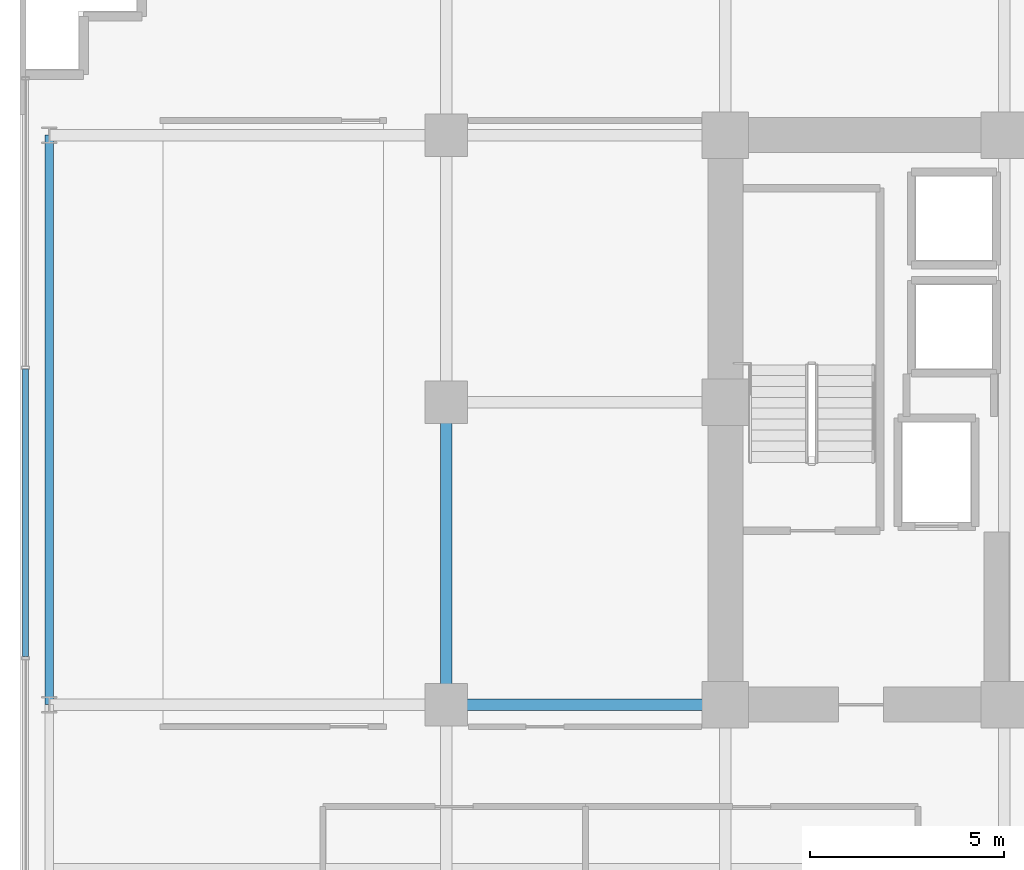
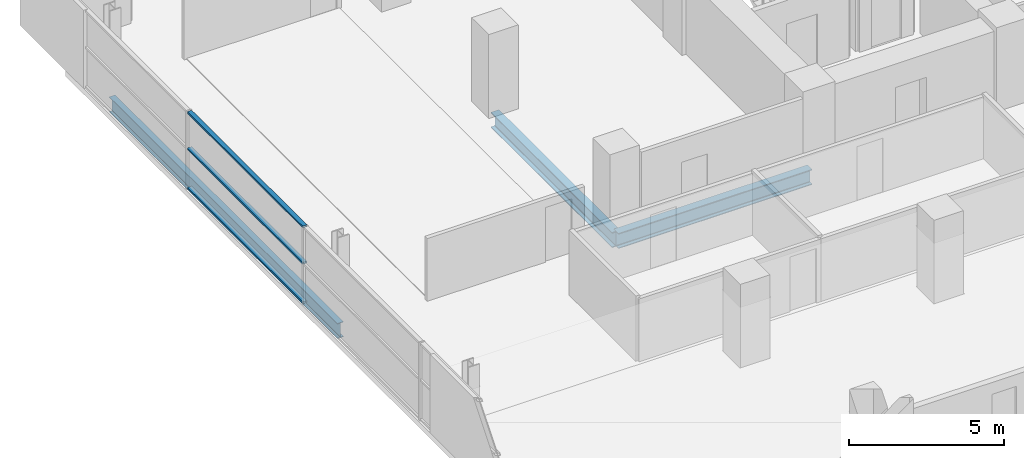
# One storey, part 9 of 30: 3 beams, 3 members, 1 element without a shape of its own.
"""IFC4 building model written with IfcOpenShell, lengths in metres."""

import ifcopenshell
import ifcopenshell.guid

model = None  # the IFC model being written
_history = None  # IfcOwnerHistory: only IFC2X3 demands one
_inside = {}  # id of a spatial element -> (the spatial element, [elements in it])
_under = {}  # id of a project, library or spatial element -> (it, [spatial elements below it])
_declared = {}  # id of a project -> (the project, [libraries it declares])
_typed = {}  # id of a type object -> (the type object, [elements of that type])
_made_of = {}  # id of a material, layer set ... -> (it, [elements and type objects made of it])


def new_model(schema):
    """Start an empty IFC model of exactly this schema.

    Asked for "IFC4X3", IfcOpenShell would pick the latest addendum, in which some entities
    have other attributes; the version numbers below select the first issue.
    IFC2X3 requires an IfcOwnerHistory on every rooted entity: one is made here for all.
    """
    global model, _history
    if schema == "IFC4X3":
        model = ifcopenshell.file(schema_version=(4, 3, 0, 0))
    else:
        model = ifcopenshell.file(schema=schema)
    _inside.clear()
    _under.clear()
    _declared.clear()
    _typed.clear()
    _made_of.clear()
    _history = None
    if model.schema == "IFC2X3":
        org = make("IfcOrganization", Name="unknown")
        user = make(
            "IfcPersonAndOrganization",
            ThePerson=make("IfcPerson", FamilyName="unknown"),
            TheOrganization=org,
        )
        app = make(
            "IfcApplication",
            ApplicationDeveloper=org,
            Version="unknown",
            ApplicationFullName="unknown",
            ApplicationIdentifier="unknown",
        )
        _history = make(
            "IfcOwnerHistory",
            OwningUser=user,
            OwningApplication=app,
            ChangeAction="ADDED",
            CreationDate=0,
        )
    return model


def make(cls, **values):
    """One entity of the class cls with the attributes given. An attribute that is None is left unset."""
    return model.create_entity(
        cls, **{name: value for name, value in values.items() if value is not None}
    )


def rooted(cls, **values):
    """An entity with a GlobalId (a new one), such as an element, a storey or a relation."""
    return make(cls, GlobalId=ifcopenshell.guid.new(), OwnerHistory=_history, **values)


def si_unit(unit_type, name, prefix=None):
    """IfcSIUnit, for example si_unit("LENGTHUNIT", "METRE", prefix="MILLI")."""
    return make("IfcSIUnit", UnitType=unit_type, Prefix=prefix, Name=name)


def assignment(units):
    """IfcUnitAssignment: the units of a project."""
    return None if units is None else make("IfcUnitAssignment", Units=units)


def point(xyz):
    """IfcCartesianPoint."""
    return None if xyz is None else make("IfcCartesianPoint", Coordinates=xyz)


def direction(xyz):
    """IfcDirection."""
    return None if xyz is None else make("IfcDirection", DirectionRatios=xyz)


def frame(location, z_axis=None, x_axis=None):
    """IfcAxis2Placement3D, a coordinate frame: its origin and axes. An axis left out is left unset."""
    return make(
        "IfcAxis2Placement3D",
        Location=point(location),
        Axis=direction(z_axis),
        RefDirection=direction(x_axis),
    )


def frame_2d(location, x_axis=None):
    """IfcAxis2Placement2D, a coordinate frame in the plane: its origin and x axis."""
    return make(
        "IfcAxis2Placement2D", Location=point(location), RefDirection=direction(x_axis)
    )


def origin():
    """The frame at (0, 0, 0) with its axes left unset."""
    return frame((0.0, 0.0, 0.0))


def origin_2d():
    """The frame at (0, 0) in the plane with its x axis left unset."""
    return frame_2d((0.0, 0.0))


def place(relative_to, where):
    """IfcLocalPlacement: puts the frame where relative to a parent placement (None: the world)."""
    return make(
        "IfcLocalPlacement", PlacementRelTo=relative_to, RelativePlacement=where
    )


def context(
    kind, dimensions, precision=None, world=None, true_north=None, identifier=None
):
    """IfcGeometricRepresentationContext, for example the 3D "Model" context."""
    return make(
        "IfcGeometricRepresentationContext",
        ContextIdentifier=identifier,
        ContextType=kind,
        CoordinateSpaceDimension=dimensions,
        Precision=precision,
        WorldCoordinateSystem=world,
        TrueNorth=true_north,
    )


def subcontext(parent, identifier, kind, view, scale=None):
    """IfcGeometricRepresentationSubContext, for example "Body" below "Model"."""
    return make(
        "IfcGeometricRepresentationSubContext",
        ContextIdentifier=identifier,
        ContextType=kind,
        ParentContext=parent,
        TargetScale=scale,
        TargetView=view,
    )


def project(units=None, contexts=None):
    """IfcProject with its units and contexts."""
    return rooted(
        "IfcProject",
        Name="project",
        RepresentationContexts=contexts,
        UnitsInContext=assignment(units),
    )


def spatial(cls, under=None, at=None, **own):
    """A site, building, storey or space (cls), placed at a placement, below another one or the project."""
    s = rooted(cls, ObjectPlacement=at, **own)
    if under is not None:
        _under.setdefault(under.id(), (under, []))[1].append(s)
    return s


def profile(cls, at=None, kind="AREA", **sizes):
    """A parametric profile (cls). Its sizes go by their IFC names, for example OverallWidth=200.0."""
    return make(cls, ProfileType=kind, Position=at, **sizes)


def hollow_rectangle(**sizes):
    """IfcRectangleHollowProfileDef."""
    return profile("IfcRectangleHollowProfileDef", **sizes)


def i_section(**sizes):
    """IfcIShapeProfileDef."""
    return profile("IfcIShapeProfileDef", **sizes)


def extrude(swept, where, along, depth):
    """IfcExtrudedAreaSolid: the profile swept, set in the frame where, extruded along a direction by depth."""
    return make(
        "IfcExtrudedAreaSolid",
        SweptArea=swept,
        Position=where,
        ExtrudedDirection=direction(along),
        Depth=depth,
    )


def shape(context_of_items, identifier, shape_type, items):
    """IfcShapeRepresentation: the items that make up one representation, for example the "Body"."""
    return make(
        "IfcShapeRepresentation",
        ContextOfItems=context_of_items,
        RepresentationIdentifier=identifier,
        RepresentationType=shape_type,
        Items=items,
    )


def source(mapping_origin, context_of_items, identifier, shape_type, items):
    """IfcRepresentationMap: a shape defined once, which mapped items show again and again."""
    return make(
        "IfcRepresentationMap",
        MappingOrigin=mapping_origin,
        MappedRepresentation=shape(context_of_items, identifier, shape_type, items),
    )


def transform(
    local_origin,
    x_axis=None,
    y_axis=None,
    z_axis=None,
    scale=None,
    scale2=None,
    scale3=None,
    uniform=True,
):
    """IfcCartesianTransformationOperator3D, or its non-uniform kind. x_axis, y_axis, z_axis: its Axis1, 2, 3."""
    if uniform:
        return make(
            "IfcCartesianTransformationOperator3D",
            Axis1=direction(x_axis),
            Axis2=direction(y_axis),
            LocalOrigin=point(local_origin),
            Scale=scale,
            Axis3=direction(z_axis),
        )
    return make(
        "IfcCartesianTransformationOperator3DnonUniform",
        Axis1=direction(x_axis),
        Axis2=direction(y_axis),
        LocalOrigin=point(local_origin),
        Scale=scale,
        Axis3=direction(z_axis),
        Scale2=scale2,
        Scale3=scale3,
    )


def mapped(mapping_source, mapping_target):
    """IfcMappedItem: shows the shape of a source again, moved by a transform."""
    return make(
        "IfcMappedItem", MappingSource=mapping_source, MappingTarget=mapping_target
    )


def material(Name=None, Category=None):
    """IfcMaterial."""
    return make("IfcMaterial", Name=Name, Category=Category)


def layer(
    of_material, thickness, ventilated=None, Name=None, Category=None, Priority=None
):
    """IfcMaterialLayer: one layer of a wall or slab, of a material (None: an air gap)."""
    return make(
        "IfcMaterialLayer",
        Material=of_material,
        LayerThickness=thickness,
        IsVentilated=ventilated,
        Name=Name,
        Category=Category,
        Priority=Priority,
    )


def layer_set(layers, Name=None):
    """IfcMaterialLayerSet."""
    return make("IfcMaterialLayerSet", MaterialLayers=layers, LayerSetName=Name)


def material_profile(
    of_material, cross_section, Name=None, Category=None, Priority=None
):
    """IfcMaterialProfile: a cross section and its material."""
    return make(
        "IfcMaterialProfile",
        Name=Name,
        Material=of_material,
        Profile=cross_section,
        Priority=Priority,
        Category=Category,
    )


def profile_set(profiles, Name=None, composite=None):
    """IfcMaterialProfileSet."""
    return make(
        "IfcMaterialProfileSet",
        Name=Name,
        MaterialProfiles=profiles,
        CompositeProfile=composite,
    )


def made_of(thing, what):
    """Note that an element or type object is made of a material, layer set ...; save() writes the relation."""
    if what is not None:
        _made_of.setdefault(what.id(), (what, []))[1].append(thing)
    return thing


def type_object(cls, material=None, **own):
    """A type object (cls), such as IfcWallType, which elements share."""
    return made_of(rooted(cls, **own), material)


def element(
    cls,
    number,
    at=None,
    inside=None,
    cuts=None,
    type_object=None,
    material=None,
    context=None,
    identifier="Body",
    shape_type=None,
    held_by="IfcProductDefinitionShape",
    body=None,
    shapes=None,
    **own,
):
    """One element of the class cls, such as IfcWall. Its Tag is "e" and its number.

    at: its placement. inside: the storey or other place that contains it. cuts: it is an
    opening in that element (IfcRelVoidsElement). A single representation is given by context,
    identifier, shape_type and body (its items); several are given by shapes. held_by: the class
    of the entity that holds the representations. save() writes the other relations.
    """
    e = rooted(cls, Tag="e%d" % number, ObjectPlacement=at, **own)
    if body is not None:
        shapes = [shape(context, identifier, shape_type, body)]
    if shapes is not None:
        e.Representation = make(held_by, Representations=shapes)
    if inside is not None:
        _inside.setdefault(inside.id(), (inside, []))[1].append(e)
    if cuts is not None:
        rooted(
            "IfcRelVoidsElement", RelatingBuildingElement=cuts, RelatedOpeningElement=e
        )
    if type_object is not None:
        _typed.setdefault(type_object.id(), (type_object, []))[1].append(e)
    return made_of(e, material)


def aggregate(whole, parts):
    """IfcRelAggregates: a whole, such as a stair, and the parts it consists of."""
    return rooted("IfcRelAggregates", RelatingObject=whole, RelatedObjects=parts)


def save(model, path):
    """Write the relations noted so far, then the file.

    IfcRelAggregates (storeys below a building ...), IfcRelContainedInSpatialStructure (elements
    in a storey), IfcRelDefinesByType, IfcRelAssociatesMaterial and IfcRelDeclares: one each for
    every whole, place, type object, material and project.
    """
    for whole, parts in _under.values():
        aggregate(whole, parts)
    for where, things in _inside.values():
        rooted(
            "IfcRelContainedInSpatialStructure",
            RelatedElements=things,
            RelatingStructure=where,
        )
    for kind, things in _typed.values():
        rooted("IfcRelDefinesByType", RelatedObjects=things, RelatingType=kind)
    for what, things in _made_of.values():
        rooted("IfcRelAssociatesMaterial", RelatedObjects=things, RelatingMaterial=what)
    for by, libraries in _declared.values():
        rooted("IfcRelDeclares", RelatingContext=by, RelatedDefinitions=libraries)
    model.write(path)


model = new_model("IFC4")

# Units and contexts
model_context = context("Model", 3, precision=1e-05, world=origin(), true_north=direction((0.0, 1.0)))
body_context = subcontext(model_context, "Body", "Model", "MODEL_VIEW")
ifc_project = project(units=[si_unit("LENGTHUNIT", "METRE"), si_unit("AREAUNIT", "SQUARE_METRE"), si_unit("VOLUMEUNIT", "CUBIC_METRE"), si_unit("PLANEANGLEUNIT", "RADIAN"), si_unit("MASSUNIT", "GRAM", prefix="KILO")], contexts=[model_context])

# Site, building, storey
site_placement = place(None, origin())
site = spatial("IfcSite", under=ifc_project, at=site_placement, CompositionType="ELEMENT")
building_placement = place(site_placement, origin())
building = spatial("IfcBuilding", under=site, at=building_placement, Name="Zarnakvel Exchange Tower", CompositionType="ELEMENT")
storey_placement = place(building_placement, frame((0.0, 0.0, 50.5)))
storey = spatial("IfcBuildingStorey", under=building, at=storey_placement, Name="L13", CompositionType="ELEMENT", Elevation=50.5)

# Beams
ifc_material_1 = material(Name="Steel S355", Category="steel")
ifc_material_profile_1 = material_profile(ifc_material_1, i_section(OverallWidth=0.300048828125, OverallDepth=0.60009765625, WebThickness=0.015380859375, FlangeThickness=0.030029296875, FilletRadius=0.027099609375, at=origin_2d()))
ifc_profile_set_1 = profile_set([ifc_material_profile_1], Name="Steel S355")
beam_type_1 = type_object("IfcBeamType", Name="G-04", PredefinedType="BEAM", material=ifc_profile_set_1)
beam_1_placement = place(storey_placement, frame((-21.60009765625, -1.199951171875, -0.52490234375), z_axis=(1.0, 0.0, 0.0), x_axis=(0.0, 1.0, 0.0)))
element("IfcBeam", 1, at=beam_1_placement, inside=storey, type_object=beam_type_1, Name="L13 Tower E-W Frame Beam", PredefinedType="BEAM", context=body_context, shape_type="SweptSolid", body=[
    extrude(i_section(OverallWidth=0.300048828125, OverallDepth=0.60009765625, WebThickness=0.015380859375, FlangeThickness=0.030029296875, FilletRadius=0.027099609375, at=origin_2d()), origin(), (0.0, 0.0, 1.0), 7.2001953125),
])
beam_2_placement = place(storey_placement, frame((-21.60009765625, -1.199951171875, -0.52490234375), z_axis=(0.0, 1.0, 0.0), x_axis=(-1.0, 0.0, 0.0)))
element("IfcBeam", 2, at=beam_2_placement, inside=storey, type_object=beam_type_1, Name="L13 Tower N-S Frame Beam", PredefinedType="BEAM", context=body_context, shape_type="SweptSolid", body=[
    extrude(i_section(OverallWidth=0.300048828125, OverallDepth=0.60009765625, WebThickness=0.015380859375, FlangeThickness=0.030029296875, FilletRadius=0.027099609375, at=origin_2d()), origin(), (0.0, 0.0, 1.0), 7.800048828125),
])
ifc_material_profile_2 = material_profile(ifc_material_1, i_section(OverallWidth=0.219970703125, OverallDepth=0.60009765625, WebThickness=0.011962890625, FlangeThickness=0.01904296875, FilletRadius=0.02392578125, at=origin_2d()))
ifc_profile_set_2 = profile_set([ifc_material_profile_2], Name="Steel S355")
beam_type_2 = type_object("IfcBeamType", Name="SP-01", PredefinedType="SPANDREL", material=ifc_profile_set_2)
beam_3_placement = place(storey_placement, frame((-31.85009765625, -1.199951171875, -0.52490234375), z_axis=(0.0, 1.0, 0.0), x_axis=(-1.0, 0.0, 0.0)))
element("IfcBeam", 3, at=beam_3_placement, inside=storey, type_object=beam_type_2, Name="L13 Tower N-S Frame Beam", PredefinedType="SPANDREL", context=body_context, shape_type="SweptSolid", body=[
    extrude(i_section(OverallWidth=0.219970703125, OverallDepth=0.60009765625, WebThickness=0.011962890625, FlangeThickness=0.01904296875, FilletRadius=0.02392578125, at=origin_2d()), origin(), (0.0, 0.0, 1.0), 14.699951171875),
])

# Curtain wall, members
ifc_material_2 = material(Name="Architectural Bronze Anodised Aluminium", Category="aluminium")
ifc_layer = layer(ifc_material_2, 0.199951171875)
ifc_layer_set = layer_set([ifc_layer], Name="Architectural Bronze Anodised Aluminium")
curtain_wall_type = type_object("IfcCurtainWallType", Name="CW-04", PredefinedType="NOTDEFINED", material=ifc_layer_set)
curtain_wall_placement = place(storey_placement, origin())
curtain_wall = element("IfcCurtainWall", 4, at=curtain_wall_placement, inside=storey, type_object=curtain_wall_type, Name="L13 Curtain Wall CW-L13-W1 (CW-04)", PredefinedType="NOTDEFINED")
ifc_material_profile_3 = material_profile(ifc_material_2, hollow_rectangle(XDim=0.159912109375, YDim=0.074951171875, WallThickness=0.00390625, at=origin_2d()))
ifc_profile_set_3 = profile_set([ifc_material_profile_3], Name="Architectural Bronze Anodised Aluminium")
member_type = type_object("IfcMemberType", Name="CWT-04", PredefinedType="USERDEFINED", material=ifc_profile_set_3)
shared_shape = source(origin(), body_context, "Body", "SweptSolid", [
    extrude(hollow_rectangle(XDim=0.159912109375, YDim=0.074951171875, WallThickness=0.00390625, at=origin_2d()), origin(), (0.0, 0.0, 1.0), 7.4248046875),
])
member_1_placement = place(storey_placement, frame((-32.4599609375, 0.03759765625, 0.03759765625), z_axis=(0.0, 1.0, 0.0), x_axis=(-1.0, 0.0, 0.0)))
member_1 = element("IfcMember", 5, at=member_1_placement, type_object=member_type, Name="CW-04 transom 3.1", ObjectType="TRANSOM", PredefinedType="USERDEFINED", context=body_context, shape_type="MappedRepresentation", body=[
    mapped(shared_shape, transform((0.0, 0.0, 0.0), x_axis=(1.0, 0.0, 0.0), y_axis=(0.0, 1.0, 0.0), z_axis=(0.0, 0.0, 1.0), scale=1.0)),
])
member_2_placement = place(storey_placement, frame((-32.4599609375, 0.03759765625, 1.588623046875), z_axis=(0.0, 1.0, 0.0), x_axis=(-1.0, 0.0, 0.0)))
member_2 = element("IfcMember", 6, at=member_2_placement, type_object=member_type, Name="CW-04 transom 3.2", ObjectType="TRANSOM", PredefinedType="USERDEFINED", context=body_context, shape_type="MappedRepresentation", body=[
    mapped(shared_shape, transform((0.0, 0.0, 0.0), x_axis=(1.0, 0.0, 0.0), y_axis=(0.0, 1.0, 0.0), z_axis=(0.0, 0.0, 1.0), scale=1.0)),
])
member_3_placement = place(storey_placement, frame((-32.4599609375, 0.03759765625, 3.017578125), z_axis=(0.0, 1.0, 0.0), x_axis=(-1.0, 0.0, 0.0)))
member_3 = element("IfcMember", 7, at=member_3_placement, type_object=member_type, Name="CW-04 transom 3.3", ObjectType="TRANSOM", PredefinedType="USERDEFINED", context=body_context, shape_type="MappedRepresentation", body=[
    mapped(shared_shape, transform((0.0, 0.0, 0.0), x_axis=(1.0, 0.0, 0.0), y_axis=(0.0, 1.0, 0.0), z_axis=(0.0, 0.0, 1.0), scale=1.0)),
])
aggregate(curtain_wall, [member_1, member_2, member_3])

save(model, "model.ifc")
